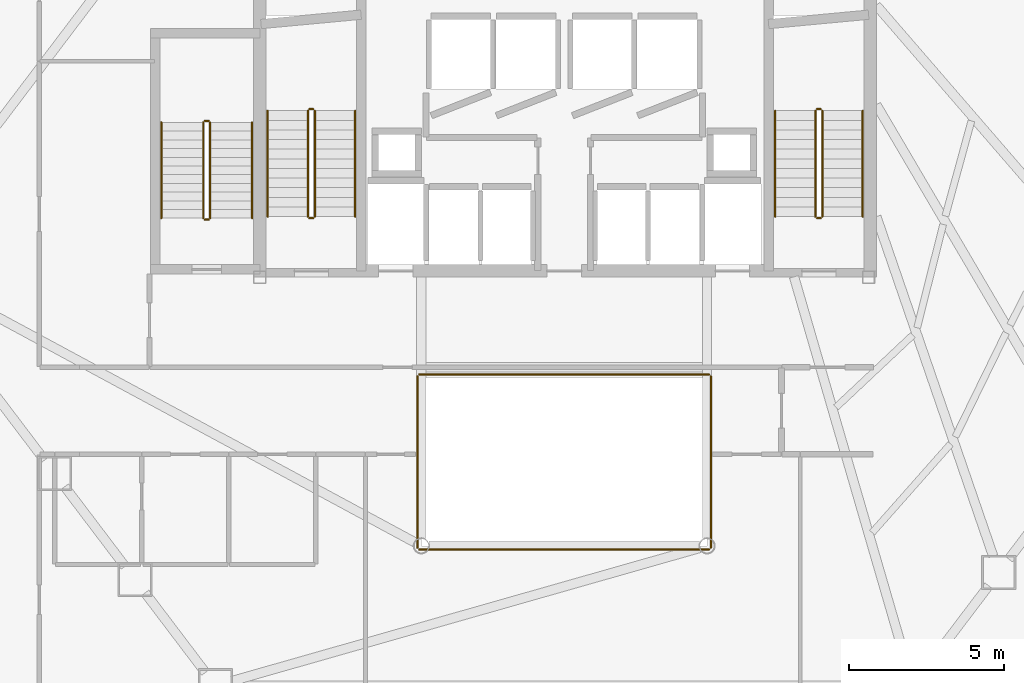
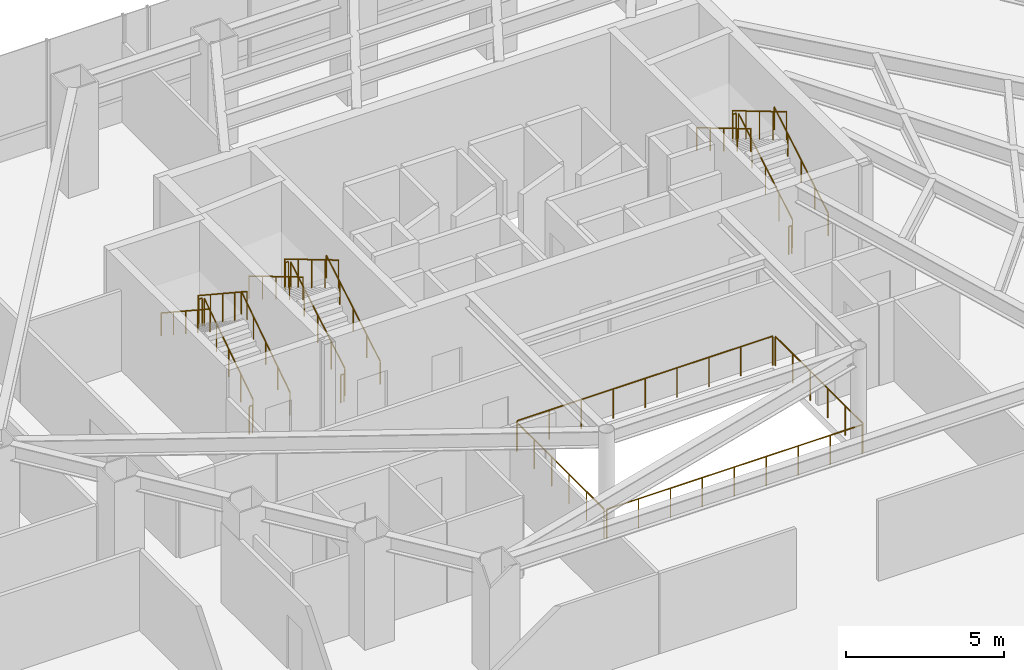
# One storey, part 37 of 37: 22 railings.
"""IFC4 building model written with IfcOpenShell, lengths in metres."""

from ifc_helpers import new_model, si_unit, direction, frame, origin, origin_2d, place, context, subcontext, project, spatial, circle, extrude, material, type_object, element, save


model = new_model("IFC4")

# Units and contexts
model_context = context("Model", 3, precision=1e-05, world=origin(), true_north=direction((0.0, 1.0)))
body_context = subcontext(model_context, "Body", "Model", "MODEL_VIEW")
ifc_project = project(units=[si_unit("LENGTHUNIT", "METRE"), si_unit("AREAUNIT", "SQUARE_METRE"), si_unit("VOLUMEUNIT", "CUBIC_METRE"), si_unit("PLANEANGLEUNIT", "RADIAN"), si_unit("MASSUNIT", "GRAM", prefix="KILO")], contexts=[model_context])

# Site, building, storey
site_placement = place(None, origin())
site = spatial("IfcSite", under=ifc_project, at=site_placement, CompositionType="ELEMENT")
building_placement = place(site_placement, origin())
building = spatial("IfcBuilding", under=site, at=building_placement, Name="Zarrinselat Tower", CompositionType="ELEMENT")
storey_placement = place(building_placement, frame((0.0, 0.0, 9.52001953125)))
storey = spatial("IfcBuildingStorey", under=building, at=storey_placement, Name="L02", CompositionType="ELEMENT", Elevation=9.52001953125)

# Railings
ifc_material_1 = material(Name="Double Low-E Laminated Solar Glass", Category="glass")
railing_type_1 = type_object("IfcRailingType", Name="RLG-ATRIUM-BAL", PredefinedType="BALUSTRADE", material=ifc_material_1)
railing_1_placement = place(storey_placement, frame((33.739990234375, 24.280029296875, 0.0)))
element("IfcRailing", 1, at=railing_1_placement, inside=storey, type_object=railing_type_1, Name="L02 Atrium Void Glass Balustrade S", PredefinedType="BALUSTRADE", context=body_context, shape_type="SweptSolid", body=[
    extrude(circle(Radius=0.02392578125, at=origin_2d()), frame((0.0, 0.0, 1.1259765625), z_axis=(1.0, 0.0, 0.0), x_axis=(0.0, 1.0, 0.0)), (0.0, 0.0, 1.0), 9.320068359375),
    extrude(circle(Radius=0.02099609375, at=origin_2d()), origin(), (0.0, 0.0, 1.0), 1.099853515625),
    extrude(circle(Radius=0.02099609375, at=origin_2d()), frame((1.1650390625, 0.0, 0.0)), (0.0, 0.0, 1.0), 1.099853515625),
    extrude(circle(Radius=0.02099609375, at=origin_2d()), frame((2.330078125, 0.0, 0.0)), (0.0, 0.0, 1.0), 1.099853515625),
    extrude(circle(Radius=0.02099609375, at=origin_2d()), frame((3.4951171875, 0.0, 0.0)), (0.0, 0.0, 1.0), 1.099853515625),
    extrude(circle(Radius=0.02099609375, at=origin_2d()), frame((4.66015625, 0.0, 0.0)), (0.0, 0.0, 1.0), 1.099853515625),
    extrude(circle(Radius=0.02099609375, at=origin_2d()), frame((5.824951171875, 0.0, 0.0)), (0.0, 0.0, 1.0), 1.099853515625),
    extrude(circle(Radius=0.02099609375, at=origin_2d()), frame((6.989990234375, 0.0, 0.0)), (0.0, 0.0, 1.0), 1.099853515625),
    extrude(circle(Radius=0.02099609375, at=origin_2d()), frame((8.155029296875, 0.0, 0.0)), (0.0, 0.0, 1.0), 1.099853515625),
    extrude(circle(Radius=0.02099609375, at=origin_2d()), frame((9.320068359375, 0.0, 0.0)), (0.0, 0.0, 1.0), 1.099853515625),
])
railing_2_placement = place(storey_placement, frame((43.1201171875, 24.340087890625, 0.0)))
element("IfcRailing", 2, at=railing_2_placement, inside=storey, type_object=railing_type_1, Name="L02 Atrium Void Glass Balustrade E", PredefinedType="BALUSTRADE", context=body_context, shape_type="SweptSolid", body=[
    extrude(circle(Radius=0.02392578125, at=origin_2d()), frame((0.0, 0.0, 1.1259765625), z_axis=(0.0, 1.0, 0.0), x_axis=(-1.0, 0.0, 0.0)), (0.0, 0.0, 1.0), 5.52001953125),
    extrude(circle(Radius=0.02099609375, at=origin_2d()), origin(), (0.0, 0.0, 1.0), 1.099853515625),
    extrude(circle(Radius=0.02099609375, at=origin_2d()), frame((0.0, 1.10400390625, 0.0)), (0.0, 0.0, 1.0), 1.099853515625),
    extrude(circle(Radius=0.02099609375, at=origin_2d()), frame((0.0, 2.2080078125, 0.0)), (0.0, 0.0, 1.0), 1.099853515625),
    extrude(circle(Radius=0.02099609375, at=origin_2d()), frame((0.0, 3.31201171875, 0.0)), (0.0, 0.0, 1.0), 1.099853515625),
    extrude(circle(Radius=0.02099609375, at=origin_2d()), frame((0.0, 4.416015625, 0.0)), (0.0, 0.0, 1.0), 1.099853515625),
    extrude(circle(Radius=0.02099609375, at=origin_2d()), frame((0.0, 5.52001953125, 0.0)), (0.0, 0.0, 1.0), 1.099853515625),
])
railing_3_placement = place(storey_placement, frame((43.06005859375, 29.919921875, 0.0)))
element("IfcRailing", 3, at=railing_3_placement, inside=storey, type_object=railing_type_1, Name="L02 Atrium Void Glass Balustrade N", PredefinedType="BALUSTRADE", context=body_context, shape_type="SweptSolid", body=[
    extrude(circle(Radius=0.02392578125, at=origin_2d()), frame((0.0, 0.0, 1.1259765625), z_axis=(-1.0, 0.0, 0.0), x_axis=(0.0, -1.0, 0.0)), (0.0, 0.0, 1.0), 9.320068359375),
    extrude(circle(Radius=0.02099609375, at=origin_2d()), origin(), (0.0, 0.0, 1.0), 1.099853515625),
    extrude(circle(Radius=0.02099609375, at=origin_2d()), frame((-1.1650390625, 0.0, 0.0)), (0.0, 0.0, 1.0), 1.099853515625),
    extrude(circle(Radius=0.02099609375, at=origin_2d()), frame((-2.330078125, 0.0, 0.0)), (0.0, 0.0, 1.0), 1.099853515625),
    extrude(circle(Radius=0.02099609375, at=origin_2d()), frame((-3.4951171875, 0.0, 0.0)), (0.0, 0.0, 1.0), 1.099853515625),
    extrude(circle(Radius=0.02099609375, at=origin_2d()), frame((-4.66015625, 0.0, 0.0)), (0.0, 0.0, 1.0), 1.099853515625),
    extrude(circle(Radius=0.02099609375, at=origin_2d()), frame((-5.824951171875, 0.0, 0.0)), (0.0, 0.0, 1.0), 1.099853515625),
    extrude(circle(Radius=0.02099609375, at=origin_2d()), frame((-6.989990234375, 0.0, 0.0)), (0.0, 0.0, 1.0), 1.099853515625),
    extrude(circle(Radius=0.02099609375, at=origin_2d()), frame((-8.155029296875, 0.0, 0.0)), (0.0, 0.0, 1.0), 1.099853515625),
    extrude(circle(Radius=0.02099609375, at=origin_2d()), frame((-9.320068359375, 0.0, 0.0)), (0.0, 0.0, 1.0), 1.099853515625),
])
railing_4_placement = place(storey_placement, frame((33.679931640625, 29.860107421875, 0.0)))
element("IfcRailing", 4, at=railing_4_placement, inside=storey, type_object=railing_type_1, Name="L02 Atrium Void Glass Balustrade W", PredefinedType="BALUSTRADE", context=body_context, shape_type="SweptSolid", body=[
    extrude(circle(Radius=0.02392578125, at=origin_2d()), frame((0.0, 0.0, 1.1259765625), z_axis=(0.0, -1.0, 0.0), x_axis=(1.0, 0.0, 0.0)), (0.0, 0.0, 1.0), 5.52001953125),
    extrude(circle(Radius=0.02099609375, at=origin_2d()), origin(), (0.0, 0.0, 1.0), 1.099853515625),
    extrude(circle(Radius=0.02099609375, at=origin_2d()), frame((0.0, -1.10400390625, 0.0)), (0.0, 0.0, 1.0), 1.099853515625),
    extrude(circle(Radius=0.02099609375, at=origin_2d()), frame((0.0, -2.2080078125, 0.0)), (0.0, 0.0, 1.0), 1.099853515625),
    extrude(circle(Radius=0.02099609375, at=origin_2d()), frame((0.0, -3.31201171875, 0.0)), (0.0, 0.0, 1.0), 1.099853515625),
    extrude(circle(Radius=0.02099609375, at=origin_2d()), frame((0.0, -4.416015625, 0.0)), (0.0, 0.0, 1.0), 1.099853515625),
    extrude(circle(Radius=0.02099609375, at=origin_2d()), frame((0.0, -5.52001953125, 0.0)), (0.0, 0.0, 1.0), 1.099853515625),
])
ifc_material_2 = material(Name="Steel S355J2", Category="steel")
railing_type_2 = type_object("IfcRailingType", Name="RLG-STAIR-GUARD", PredefinedType="GUARDRAIL", material=ifc_material_2)
railing_5_placement = place(storey_placement, frame((30.3701171875, 35.0, 0.18408203125)))
element("IfcRailing", 5, at=railing_5_placement, inside=storey, type_object=railing_type_2, Name="L02 ST-1 stair guard 1", PredefinedType="GUARDRAIL", context=body_context, shape_type="SweptSolid", body=[
    extrude(circle(Radius=0.02392578125, at=origin_2d()), frame((0.0, 0.0, 1.076171875), z_axis=(0.0, 0.85971707285, 0.510770549904), x_axis=(-1.0, 0.0, 0.0)), (0.0, 0.0, 1.0), 3.96630859375),
    extrude(circle(Radius=0.02099609375, at=origin_2d()), origin(), (0.0, 0.0, 1.0), 1.050048828125),
    extrude(circle(Radius=0.02099609375, at=origin_2d()), frame((0.0, 0.8525390625, 0.50634765625)), (0.0, 0.0, 1.0), 1.050048828125),
    extrude(circle(Radius=0.02099609375, at=origin_2d()), frame((0.0, 1.705078125, 1.012939453125)), (0.0, 0.0, 1.0), 1.050048828125),
    extrude(circle(Radius=0.02099609375, at=origin_2d()), frame((0.0, 2.557373046875, 1.51953125)), (0.0, 0.0, 1.0), 1.050048828125),
    extrude(circle(Radius=0.02099609375, at=origin_2d()), frame((0.0, 3.409912109375, 2.02587890625)), (0.0, 0.0, 1.0), 1.050048828125),
])
railing_6_placement = place(storey_placement, frame((30.320068359375, 38.4599609375, 2.2099609375)))
element("IfcRailing", 6, at=railing_6_placement, inside=storey, type_object=railing_type_2, Name="L02 ST-1 stair guard 2", PredefinedType="GUARDRAIL", context=body_context, shape_type="SweptSolid", body=[
    extrude(circle(Radius=0.02392578125, at=origin_2d()), frame((0.0, 0.0, 1.076171875), z_axis=(-1.0, 0.0, 0.0), x_axis=(0.0, -1.0, 0.0)), (0.0, 0.0, 1.0), 0.1201171875),
    extrude(circle(Radius=0.02099609375, at=origin_2d()), origin(), (0.0, 0.0, 1.0), 1.050048828125),
    extrude(circle(Radius=0.02099609375, at=origin_2d()), frame((-0.1201171875, 0.0, 0.0)), (0.0, 0.0, 1.0), 1.050048828125),
])
railing_7_placement = place(storey_placement, frame((30.14990234375, 38.409912109375, 2.39404296875)))
element("IfcRailing", 7, at=railing_7_placement, inside=storey, type_object=railing_type_2, Name="L02 ST-1 stair guard 3", PredefinedType="GUARDRAIL", context=body_context, shape_type="SweptSolid", body=[
    extrude(circle(Radius=0.02392578125, at=origin_2d()), frame((0.0, 0.0, 1.076171875), z_axis=(0.0, -0.85971707285, 0.510770549904), x_axis=(1.0, 0.0, 0.0)), (0.0, 0.0, 1.0), 3.96630859375),
    extrude(circle(Radius=0.02099609375, at=origin_2d()), origin(), (0.0, 0.0, 1.0), 1.050048828125),
    extrude(circle(Radius=0.02099609375, at=origin_2d()), frame((0.0, -0.8525390625, 0.50634765625)), (0.0, 0.0, 1.0), 1.050048828125),
    extrude(circle(Radius=0.02099609375, at=origin_2d()), frame((0.0, -1.705078125, 1.012939453125)), (0.0, 0.0, 1.0), 1.050048828125),
    extrude(circle(Radius=0.02099609375, at=origin_2d()), frame((0.0, -2.557373046875, 1.51953125)), (0.0, 0.0, 1.0), 1.050048828125),
    extrude(circle(Radius=0.02099609375, at=origin_2d()), frame((0.0, -3.409912109375, 2.02587890625)), (0.0, 0.0, 1.0), 1.050048828125),
])
railing_8_placement = place(storey_placement, frame((30.320068359375, 34.949951171875, 0.0)))
element("IfcRailing", 8, at=railing_8_placement, inside=storey, type_object=railing_type_2, Name="L02 ST-1 stair guard 4", PredefinedType="GUARDRAIL", context=body_context, shape_type="SweptSolid", body=[
    extrude(circle(Radius=0.02392578125, at=origin_2d()), frame((0.0, 0.0, 1.076171875), z_axis=(-1.0, 0.0, 0.0), x_axis=(0.0, -1.0, 0.0)), (0.0, 0.0, 1.0), 0.1201171875),
    extrude(circle(Radius=0.02099609375, at=origin_2d()), origin(), (0.0, 0.0, 1.0), 1.050048828125),
    extrude(circle(Radius=0.02099609375, at=origin_2d()), frame((-0.1201171875, 0.0, 0.0)), (0.0, 0.0, 1.0), 1.050048828125),
])
railing_9_placement = place(storey_placement, frame((46.7099609375, 35.0, 0.18408203125)))
element("IfcRailing", 9, at=railing_9_placement, inside=storey, type_object=railing_type_2, Name="L02 ST-2 stair guard 1", PredefinedType="GUARDRAIL", context=body_context, shape_type="SweptSolid", body=[
    extrude(circle(Radius=0.02392578125, at=origin_2d()), frame((0.0, 0.0, 1.076171875), z_axis=(0.0, 0.85971707285, 0.510770549904), x_axis=(-1.0, 0.0, 0.0)), (0.0, 0.0, 1.0), 3.96630859375),
    extrude(circle(Radius=0.02099609375, at=origin_2d()), origin(), (0.0, 0.0, 1.0), 1.050048828125),
    extrude(circle(Radius=0.02099609375, at=origin_2d()), frame((0.0, 0.8525390625, 0.50634765625)), (0.0, 0.0, 1.0), 1.050048828125),
    extrude(circle(Radius=0.02099609375, at=origin_2d()), frame((0.0, 1.705078125, 1.012939453125)), (0.0, 0.0, 1.0), 1.050048828125),
    extrude(circle(Radius=0.02099609375, at=origin_2d()), frame((0.0, 2.557373046875, 1.51953125)), (0.0, 0.0, 1.0), 1.050048828125),
    extrude(circle(Radius=0.02099609375, at=origin_2d()), frame((0.0, 3.409912109375, 2.02587890625)), (0.0, 0.0, 1.0), 1.050048828125),
])
railing_10_placement = place(storey_placement, frame((46.659912109375, 38.4599609375, 2.2099609375)))
element("IfcRailing", 10, at=railing_10_placement, inside=storey, type_object=railing_type_2, Name="L02 ST-2 stair guard 2", PredefinedType="GUARDRAIL", context=body_context, shape_type="SweptSolid", body=[
    extrude(circle(Radius=0.02392578125, at=origin_2d()), frame((0.0, 0.0, 1.076171875), z_axis=(-1.0, 0.0, 0.0), x_axis=(0.0, -1.0, 0.0)), (0.0, 0.0, 1.0), 0.119873046875),
    extrude(circle(Radius=0.02099609375, at=origin_2d()), origin(), (0.0, 0.0, 1.0), 1.050048828125),
    extrude(circle(Radius=0.02099609375, at=origin_2d()), frame((-0.119873046875, 0.0, 0.0)), (0.0, 0.0, 1.0), 1.050048828125),
])
railing_11_placement = place(storey_placement, frame((46.489990234375, 38.409912109375, 2.39404296875)))
element("IfcRailing", 11, at=railing_11_placement, inside=storey, type_object=railing_type_2, Name="L02 ST-2 stair guard 3", PredefinedType="GUARDRAIL", context=body_context, shape_type="SweptSolid", body=[
    extrude(circle(Radius=0.02392578125, at=origin_2d()), frame((0.0, 0.0, 1.076171875), z_axis=(0.0, -0.85971707285, 0.510770549904), x_axis=(1.0, 0.0, 0.0)), (0.0, 0.0, 1.0), 3.96630859375),
    extrude(circle(Radius=0.02099609375, at=origin_2d()), origin(), (0.0, 0.0, 1.0), 1.050048828125),
    extrude(circle(Radius=0.02099609375, at=origin_2d()), frame((0.0, -0.8525390625, 0.50634765625)), (0.0, 0.0, 1.0), 1.050048828125),
    extrude(circle(Radius=0.02099609375, at=origin_2d()), frame((0.0, -1.705078125, 1.012939453125)), (0.0, 0.0, 1.0), 1.050048828125),
    extrude(circle(Radius=0.02099609375, at=origin_2d()), frame((0.0, -2.557373046875, 1.51953125)), (0.0, 0.0, 1.0), 1.050048828125),
    extrude(circle(Radius=0.02099609375, at=origin_2d()), frame((0.0, -3.409912109375, 2.02587890625)), (0.0, 0.0, 1.0), 1.050048828125),
])
railing_12_placement = place(storey_placement, frame((46.659912109375, 34.949951171875, 0.0)))
element("IfcRailing", 12, at=railing_12_placement, inside=storey, type_object=railing_type_2, Name="L02 ST-2 stair guard 4", PredefinedType="GUARDRAIL", context=body_context, shape_type="SweptSolid", body=[
    extrude(circle(Radius=0.02392578125, at=origin_2d()), frame((0.0, 0.0, 1.076171875), z_axis=(-1.0, 0.0, 0.0), x_axis=(0.0, -1.0, 0.0)), (0.0, 0.0, 1.0), 0.119873046875),
    extrude(circle(Radius=0.02099609375, at=origin_2d()), origin(), (0.0, 0.0, 1.0), 1.050048828125),
    extrude(circle(Radius=0.02099609375, at=origin_2d()), frame((-0.119873046875, 0.0, 0.0)), (0.0, 0.0, 1.0), 1.050048828125),
])
railing_13_placement = place(storey_placement, frame((27.0, 34.949951171875, 0.18408203125)))
element("IfcRailing", 13, at=railing_13_placement, inside=storey, type_object=railing_type_2, Name="L02 ST-3 stair guard 1", PredefinedType="GUARDRAIL", context=body_context, shape_type="SweptSolid", body=[
    extrude(circle(Radius=0.02392578125, at=origin_2d()), frame((0.0, 0.0, 1.076171875), z_axis=(0.0, 0.835477891525, 0.549524060231), x_axis=(-1.0, 0.0, 0.0)), (0.0, 0.0, 1.0), 3.6865234375),
    extrude(circle(Radius=0.02099609375, at=origin_2d()), origin(), (0.0, 0.0, 1.0), 1.050048828125),
    extrude(circle(Radius=0.02099609375, at=origin_2d()), frame((0.0, 0.77001953125, 0.50634765625)), (0.0, 0.0, 1.0), 1.050048828125),
    extrude(circle(Radius=0.02099609375, at=origin_2d()), frame((0.0, 1.5400390625, 1.012939453125)), (0.0, 0.0, 1.0), 1.050048828125),
    extrude(circle(Radius=0.02099609375, at=origin_2d()), frame((0.0, 2.31005859375, 1.51953125)), (0.0, 0.0, 1.0), 1.050048828125),
    extrude(circle(Radius=0.02099609375, at=origin_2d()), frame((0.0, 3.080078125, 2.02587890625)), (0.0, 0.0, 1.0), 1.050048828125),
])
railing_14_placement = place(storey_placement, frame((26.949951171875, 38.080078125, 2.2099609375)))
element("IfcRailing", 14, at=railing_14_placement, inside=storey, type_object=railing_type_2, Name="L02 ST-3 stair guard 2", PredefinedType="GUARDRAIL", context=body_context, shape_type="SweptSolid", body=[
    extrude(circle(Radius=0.02392578125, at=origin_2d()), frame((0.0, 0.0, 1.076171875), z_axis=(-1.0, 0.0, 0.0), x_axis=(0.0, -1.0, 0.0)), (0.0, 0.0, 1.0), 0.119873046875),
    extrude(circle(Radius=0.02099609375, at=origin_2d()), origin(), (0.0, 0.0, 1.0), 1.050048828125),
    extrude(circle(Radius=0.02099609375, at=origin_2d()), frame((-0.119873046875, 0.0, 0.0)), (0.0, 0.0, 1.0), 1.050048828125),
])
railing_15_placement = place(storey_placement, frame((26.780029296875, 38.030029296875, 2.39404296875)))
element("IfcRailing", 15, at=railing_15_placement, inside=storey, type_object=railing_type_2, Name="L02 ST-3 stair guard 3", PredefinedType="GUARDRAIL", context=body_context, shape_type="SweptSolid", body=[
    extrude(circle(Radius=0.02392578125, at=origin_2d()), frame((0.0, 0.0, 1.076171875), z_axis=(0.0, -0.835477891525, 0.549524060231), x_axis=(1.0, 0.0, 0.0)), (0.0, 0.0, 1.0), 3.6865234375),
    extrude(circle(Radius=0.02099609375, at=origin_2d()), origin(), (0.0, 0.0, 1.0), 1.050048828125),
    extrude(circle(Radius=0.02099609375, at=origin_2d()), frame((0.0, -0.77001953125, 0.50634765625)), (0.0, 0.0, 1.0), 1.050048828125),
    extrude(circle(Radius=0.02099609375, at=origin_2d()), frame((0.0, -1.5400390625, 1.012939453125)), (0.0, 0.0, 1.0), 1.050048828125),
    extrude(circle(Radius=0.02099609375, at=origin_2d()), frame((0.0, -2.31005859375, 1.51953125)), (0.0, 0.0, 1.0), 1.050048828125),
    extrude(circle(Radius=0.02099609375, at=origin_2d()), frame((0.0, -3.080078125, 2.02587890625)), (0.0, 0.0, 1.0), 1.050048828125),
])
railing_16_placement = place(storey_placement, frame((26.949951171875, 34.89990234375, 0.0)))
element("IfcRailing", 16, at=railing_16_placement, inside=storey, type_object=railing_type_2, Name="L02 ST-3 stair guard 4", PredefinedType="GUARDRAIL", context=body_context, shape_type="SweptSolid", body=[
    extrude(circle(Radius=0.02392578125, at=origin_2d()), frame((0.0, 0.0, 1.076171875), z_axis=(-1.0, 0.0, 0.0), x_axis=(0.0, -1.0, 0.0)), (0.0, 0.0, 1.0), 0.119873046875),
    extrude(circle(Radius=0.02099609375, at=origin_2d()), origin(), (0.0, 0.0, 1.0), 1.050048828125),
    extrude(circle(Radius=0.02099609375, at=origin_2d()), frame((-0.119873046875, 0.0, 0.0)), (0.0, 0.0, 1.0), 1.050048828125),
])
ifc_material_3 = material(Name="Steel S355J2", Category="steel")
railing_type_3 = type_object("IfcRailingType", Name="RLG-STAIR-HAND", PredefinedType="HANDRAIL", material=ifc_material_3)
railing_17_placement = place(storey_placement, frame((31.669921875, 35.0, 0.18408203125)))
element("IfcRailing", 17, at=railing_17_placement, inside=storey, type_object=railing_type_3, Name="L02 ST-1 stair handrail 1", PredefinedType="HANDRAIL", context=body_context, shape_type="SweptSolid", body=[
    extrude(circle(Radius=0.02392578125, at=origin_2d()), frame((0.0, 0.0, 0.8759765625), z_axis=(0.0, 0.85971707285, 0.510770549904), x_axis=(-1.0, 0.0, 0.0)), (0.0, 0.0, 1.0), 3.96630859375),
    extrude(circle(Radius=0.02099609375, at=origin_2d()), origin(), (0.0, 0.0, 1.0), 0.849853515625),
    extrude(circle(Radius=0.02099609375, at=origin_2d()), frame((0.0, 0.8525390625, 0.50634765625)), (0.0, 0.0, 1.0), 0.849853515625),
    extrude(circle(Radius=0.02099609375, at=origin_2d()), frame((0.0, 1.705078125, 1.012939453125)), (0.0, 0.0, 1.0), 0.849853515625),
    extrude(circle(Radius=0.02099609375, at=origin_2d()), frame((0.0, 2.557373046875, 1.51953125)), (0.0, 0.0, 1.0), 0.849853515625),
    extrude(circle(Radius=0.02099609375, at=origin_2d()), frame((0.0, 3.409912109375, 2.02587890625)), (0.0, 0.0, 1.0), 0.849853515625),
])
railing_18_placement = place(storey_placement, frame((28.85009765625, 38.409912109375, 2.39404296875)))
element("IfcRailing", 18, at=railing_18_placement, inside=storey, type_object=railing_type_3, Name="L02 ST-1 stair handrail 2", PredefinedType="HANDRAIL", context=body_context, shape_type="SweptSolid", body=[
    extrude(circle(Radius=0.02392578125, at=origin_2d()), frame((0.0, 0.0, 0.8759765625), z_axis=(0.0, -0.85971707285, 0.510770549904), x_axis=(1.0, 0.0, 0.0)), (0.0, 0.0, 1.0), 3.96630859375),
    extrude(circle(Radius=0.02099609375, at=origin_2d()), origin(), (0.0, 0.0, 1.0), 0.849853515625),
    extrude(circle(Radius=0.02099609375, at=origin_2d()), frame((0.0, -0.8525390625, 0.50634765625)), (0.0, 0.0, 1.0), 0.849853515625),
    extrude(circle(Radius=0.02099609375, at=origin_2d()), frame((0.0, -1.705078125, 1.012939453125)), (0.0, 0.0, 1.0), 0.849853515625),
    extrude(circle(Radius=0.02099609375, at=origin_2d()), frame((0.0, -2.557373046875, 1.51953125)), (0.0, 0.0, 1.0), 0.849853515625),
    extrude(circle(Radius=0.02099609375, at=origin_2d()), frame((0.0, -3.409912109375, 2.02587890625)), (0.0, 0.0, 1.0), 0.849853515625),
])
railing_19_placement = place(storey_placement, frame((48.010009765625, 35.0, 0.18408203125)))
element("IfcRailing", 19, at=railing_19_placement, inside=storey, type_object=railing_type_3, Name="L02 ST-2 stair handrail 1", PredefinedType="HANDRAIL", context=body_context, shape_type="SweptSolid", body=[
    extrude(circle(Radius=0.02392578125, at=origin_2d()), frame((0.0, 0.0, 0.8759765625), z_axis=(0.0, 0.85971707285, 0.510770549904), x_axis=(-1.0, 0.0, 0.0)), (0.0, 0.0, 1.0), 3.96630859375),
    extrude(circle(Radius=0.02099609375, at=origin_2d()), origin(), (0.0, 0.0, 1.0), 0.849853515625),
    extrude(circle(Radius=0.02099609375, at=origin_2d()), frame((0.0, 0.8525390625, 0.50634765625)), (0.0, 0.0, 1.0), 0.849853515625),
    extrude(circle(Radius=0.02099609375, at=origin_2d()), frame((0.0, 1.705078125, 1.012939453125)), (0.0, 0.0, 1.0), 0.849853515625),
    extrude(circle(Radius=0.02099609375, at=origin_2d()), frame((0.0, 2.557373046875, 1.51953125)), (0.0, 0.0, 1.0), 0.849853515625),
    extrude(circle(Radius=0.02099609375, at=origin_2d()), frame((0.0, 3.409912109375, 2.02587890625)), (0.0, 0.0, 1.0), 0.849853515625),
])
railing_20_placement = place(storey_placement, frame((45.18994140625, 38.409912109375, 2.39404296875)))
element("IfcRailing", 20, at=railing_20_placement, inside=storey, type_object=railing_type_3, Name="L02 ST-2 stair handrail 2", PredefinedType="HANDRAIL", context=body_context, shape_type="SweptSolid", body=[
    extrude(circle(Radius=0.02392578125, at=origin_2d()), frame((0.0, 0.0, 0.8759765625), z_axis=(0.0, -0.85971707285, 0.510770549904), x_axis=(1.0, 0.0, 0.0)), (0.0, 0.0, 1.0), 3.96630859375),
    extrude(circle(Radius=0.02099609375, at=origin_2d()), origin(), (0.0, 0.0, 1.0), 0.849853515625),
    extrude(circle(Radius=0.02099609375, at=origin_2d()), frame((0.0, -0.8525390625, 0.50634765625)), (0.0, 0.0, 1.0), 0.849853515625),
    extrude(circle(Radius=0.02099609375, at=origin_2d()), frame((0.0, -1.705078125, 1.012939453125)), (0.0, 0.0, 1.0), 0.849853515625),
    extrude(circle(Radius=0.02099609375, at=origin_2d()), frame((0.0, -2.557373046875, 1.51953125)), (0.0, 0.0, 1.0), 0.849853515625),
    extrude(circle(Radius=0.02099609375, at=origin_2d()), frame((0.0, -3.409912109375, 2.02587890625)), (0.0, 0.0, 1.0), 0.849853515625),
])
railing_21_placement = place(storey_placement, frame((28.35009765625, 34.949951171875, 0.18408203125)))
element("IfcRailing", 21, at=railing_21_placement, inside=storey, type_object=railing_type_3, Name="L02 ST-3 stair handrail 1", PredefinedType="HANDRAIL", context=body_context, shape_type="SweptSolid", body=[
    extrude(circle(Radius=0.02392578125, at=origin_2d()), frame((0.0, 0.0, 0.8759765625), z_axis=(0.0, 0.835477891525, 0.549524060231), x_axis=(-1.0, 0.0, 0.0)), (0.0, 0.0, 1.0), 3.6865234375),
    extrude(circle(Radius=0.02099609375, at=origin_2d()), origin(), (0.0, 0.0, 1.0), 0.849853515625),
    extrude(circle(Radius=0.02099609375, at=origin_2d()), frame((0.0, 0.77001953125, 0.50634765625)), (0.0, 0.0, 1.0), 0.849853515625),
    extrude(circle(Radius=0.02099609375, at=origin_2d()), frame((0.0, 1.5400390625, 1.012939453125)), (0.0, 0.0, 1.0), 0.849853515625),
    extrude(circle(Radius=0.02099609375, at=origin_2d()), frame((0.0, 2.31005859375, 1.51953125)), (0.0, 0.0, 1.0), 0.849853515625),
    extrude(circle(Radius=0.02099609375, at=origin_2d()), frame((0.0, 3.080078125, 2.02587890625)), (0.0, 0.0, 1.0), 0.849853515625),
])
railing_22_placement = place(storey_placement, frame((25.429931640625, 38.030029296875, 2.39404296875)))
element("IfcRailing", 22, at=railing_22_placement, inside=storey, type_object=railing_type_3, Name="L02 ST-3 stair handrail 2", PredefinedType="HANDRAIL", context=body_context, shape_type="SweptSolid", body=[
    extrude(circle(Radius=0.02392578125, at=origin_2d()), frame((0.0, 0.0, 0.8759765625), z_axis=(0.0, -0.835477891525, 0.549524060231), x_axis=(1.0, 0.0, 0.0)), (0.0, 0.0, 1.0), 3.6865234375),
    extrude(circle(Radius=0.02099609375, at=origin_2d()), origin(), (0.0, 0.0, 1.0), 0.849853515625),
    extrude(circle(Radius=0.02099609375, at=origin_2d()), frame((0.0, -0.77001953125, 0.50634765625)), (0.0, 0.0, 1.0), 0.849853515625),
    extrude(circle(Radius=0.02099609375, at=origin_2d()), frame((0.0, -1.5400390625, 1.012939453125)), (0.0, 0.0, 1.0), 0.849853515625),
    extrude(circle(Radius=0.02099609375, at=origin_2d()), frame((0.0, -2.31005859375, 1.51953125)), (0.0, 0.0, 1.0), 0.849853515625),
    extrude(circle(Radius=0.02099609375, at=origin_2d()), frame((0.0, -3.080078125, 2.02587890625)), (0.0, 0.0, 1.0), 0.849853515625),
])

save(model, "model.ifc")
